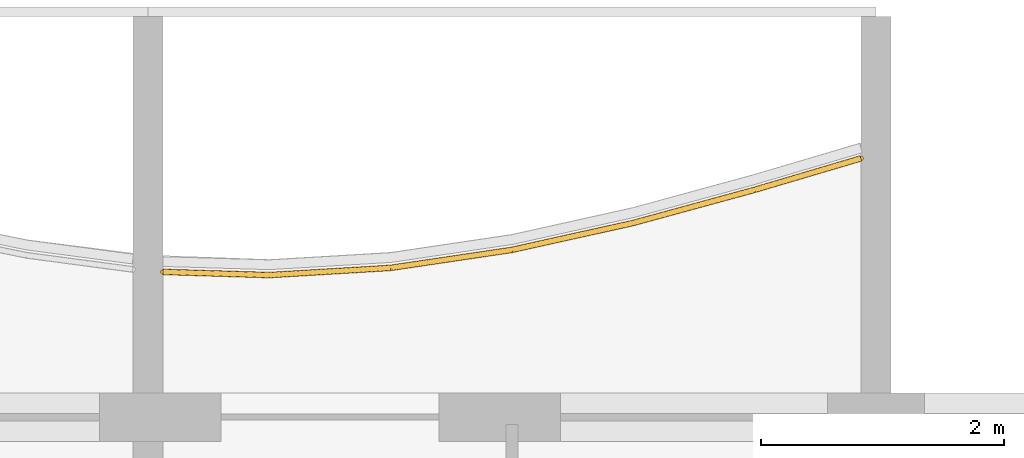
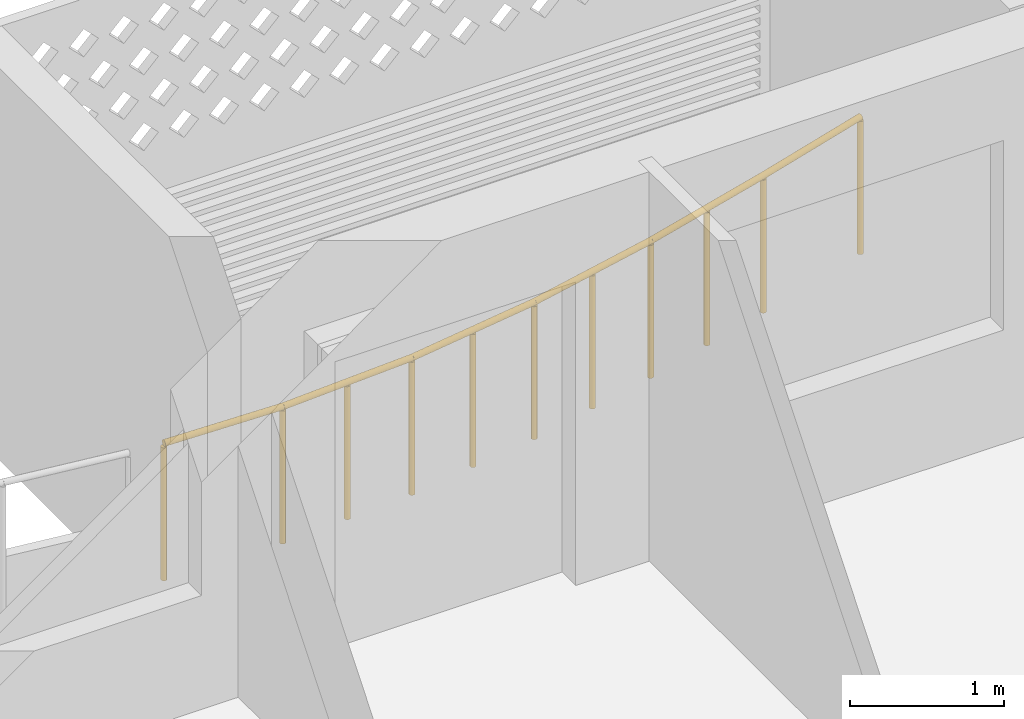
# One storey, part 18 of 27: 1 railing.
"""IFC4 building model written with IfcOpenShell, lengths in metres."""

from ifc_helpers import new_model, si_unit, direction, frame, origin, origin_2d, place, context, subcontext, project, spatial, circle, extrude, material, type_object, element, save


model = new_model("IFC4")

# Units and contexts
model_context = context("Model", 3, precision=1e-05, world=origin(), true_north=direction((0.0, 1.0)))
body_context = subcontext(model_context, "Body", "Model", "MODEL_VIEW")
ifc_project = project(units=[si_unit("LENGTHUNIT", "METRE"), si_unit("AREAUNIT", "SQUARE_METRE"), si_unit("VOLUMEUNIT", "CUBIC_METRE"), si_unit("PLANEANGLEUNIT", "RADIAN"), si_unit("MASSUNIT", "GRAM", prefix="KILO")], contexts=[model_context])

# Site, building, storey
site_placement = place(None, origin())
site = spatial("IfcSite", under=ifc_project, at=site_placement, CompositionType="ELEMENT")
building_placement = place(site_placement, origin())
building = spatial("IfcBuilding", under=site, at=building_placement, Name="Poui Terraces", CompositionType="ELEMENT")
storey_placement = place(building_placement, frame((0.0, 0.0, 191.699951171875)))
storey = spatial("IfcBuildingStorey", under=building, at=storey_placement, Name="L53", CompositionType="ELEMENT", Elevation=191.699951171875)

# Railing
ifc_material = material(Name="Painted steel fretwork", Category="steel")
railing_type = type_object("IfcRailingType", Name="BALCONY GUARD 1100", PredefinedType="GUARDRAIL", material=ifc_material)
railing_placement = place(storey_placement, frame((30.125, 42.39697265625, 0.0)))
element("IfcRailing", 1, at=railing_placement, inside=storey, type_object=railing_type, Name="BALCONY GUARD", PredefinedType="GUARDRAIL", context=body_context, shape_type="SweptSolid", body=[
    extrude(circle(Radius=0.02392578125, at=origin_2d()), frame((0.0, 0.0, 1.076171875), z_axis=(0.999554639848, -0.029841614527, 0.0), x_axis=(0.029841614527, 0.999554639848, 0.0)), (0.0, 0.0, 1.0), 0.87548828125),
    extrude(circle(Radius=0.02392578125, at=origin_2d()), frame((0.875, -0.026123046875, 1.076171875), z_axis=(0.998244834412, 0.05922204462, 0.0), x_axis=(-0.05922204462, 0.998244834412, 0.0)), (0.0, 0.0, 1.0), 1.001708984375),
    extrude(circle(Radius=0.02392578125, at=origin_2d()), frame((1.875, 0.033203125, 1.076171875), z_axis=(0.989161931015, 0.146828724135, 0.0), x_axis=(-0.146828724135, 0.989161931015, 0.0)), (0.0, 0.0, 1.0), 1.010986328125),
    extrude(circle(Radius=0.02392578125, at=origin_2d()), frame((2.875, 0.181640625, 1.076171875), z_axis=(0.976248709224, 0.216652850753, 0.0), x_axis=(-0.216652850753, 0.976248709224, 0.0)), (0.0, 0.0, 1.0), 1.0244140625),
    extrude(circle(Radius=0.02392578125, at=origin_2d()), frame((3.875, 0.403564453125, 1.076171875), z_axis=(0.964709448785, 0.263316690367, 0.0), x_axis=(-0.263316690367, 0.964709448785, 0.0)), (0.0, 0.0, 1.0), 1.03662109375),
    extrude(circle(Radius=0.02392578125, at=origin_2d()), frame((4.875, 0.676513671875, 1.076171875), z_axis=(0.958938355514, 0.283614580593, 0.0), x_axis=(-0.283614580593, 0.958938355514, 0.0)), (0.0, 0.0, 1.0), 0.912353515625),
    extrude(circle(Radius=0.02099609375, at=origin_2d()), origin(), (0.0, 0.0, 1.0), 1.052001953125),
    extrude(circle(Radius=0.02099609375, at=origin_2d()), frame((0.875, -0.026123046875, 0.0)), (0.0, 0.0, 1.0), 1.052001953125),
    extrude(circle(Radius=0.02099609375, at=origin_2d()), frame((1.375, 0.00341796875, 0.0)), (0.0, 0.0, 1.0), 1.052001953125),
    extrude(circle(Radius=0.02099609375, at=origin_2d()), frame((1.875, 0.033203125, 0.0)), (0.0, 0.0, 1.0), 1.052001953125),
    extrude(circle(Radius=0.02099609375, at=origin_2d()), frame((2.375, 0.107421875, 0.0)), (0.0, 0.0, 1.0), 1.052001953125),
    extrude(circle(Radius=0.02099609375, at=origin_2d()), frame((2.875, 0.181640625, 0.0)), (0.0, 0.0, 1.0), 1.052001953125),
    extrude(circle(Radius=0.02099609375, at=origin_2d()), frame((3.375, 0.29248046875, 0.0)), (0.0, 0.0, 1.0), 1.052001953125),
    extrude(circle(Radius=0.02099609375, at=origin_2d()), frame((3.875, 0.403564453125, 0.0)), (0.0, 0.0, 1.0), 1.052001953125),
    extrude(circle(Radius=0.02099609375, at=origin_2d()), frame((4.375, 0.5400390625, 0.0)), (0.0, 0.0, 1.0), 1.052001953125),
    extrude(circle(Radius=0.02099609375, at=origin_2d()), frame((4.875, 0.676513671875, 0.0)), (0.0, 0.0, 1.0), 1.052001953125),
    extrude(circle(Radius=0.02099609375, at=origin_2d()), frame((5.75, 0.935302734375, 0.0)), (0.0, 0.0, 1.0), 1.052001953125),
])

save(model, "model.ifc")
